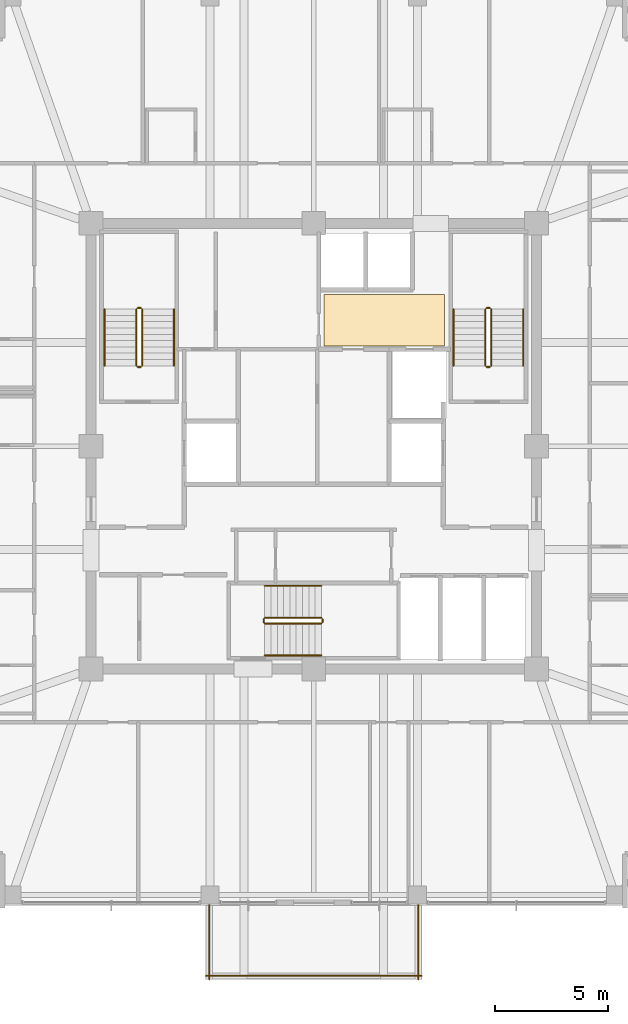
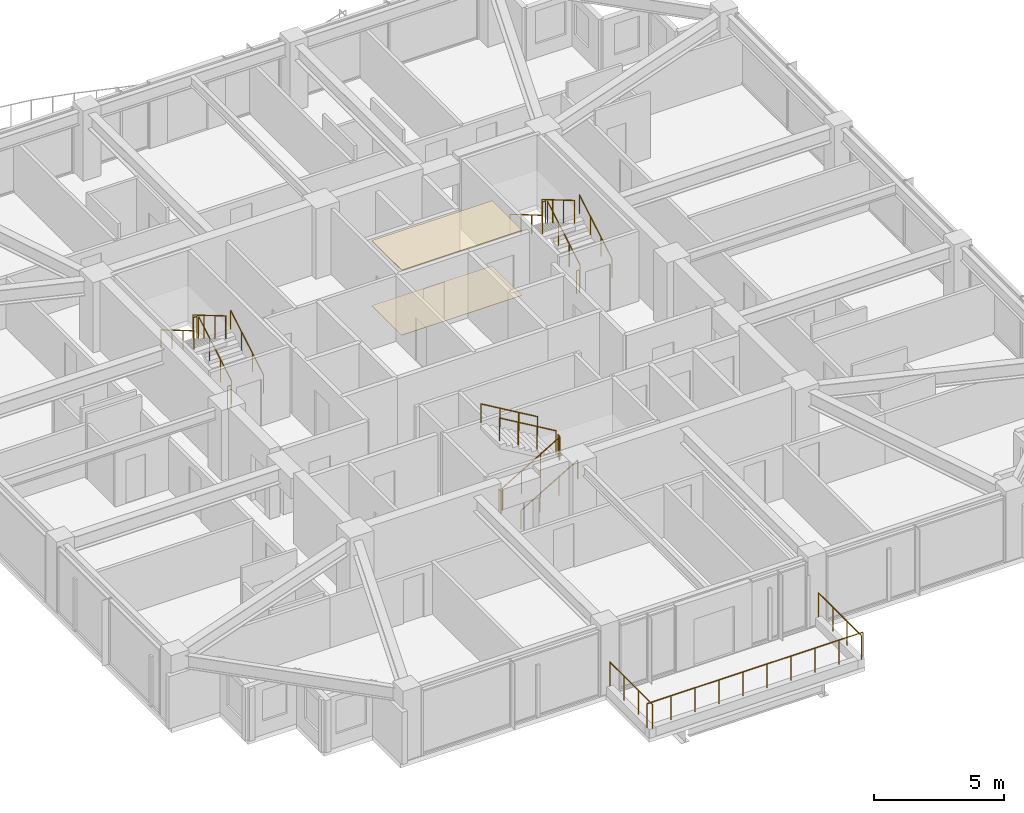
# One storey, part 35 of 36: 21 railings, 2 coverings.
"""IFC4 building model written with IfcOpenShell, lengths in metres."""

from ifc_helpers import new_model, si_unit, direction, frame, origin, origin_2d, place, context, subcontext, project, spatial, polyline, circle, outline, extrude, material, layer, layer_set, type_object, element, save


model = new_model("IFC4")

# Units and contexts
model_context = context("Model", 3, precision=1e-05, world=origin(), true_north=direction((0.0, 1.0)))
body_context = subcontext(model_context, "Body", "Model", "MODEL_VIEW")
ifc_project = project(units=[si_unit("LENGTHUNIT", "METRE"), si_unit("AREAUNIT", "SQUARE_METRE"), si_unit("VOLUMEUNIT", "CUBIC_METRE"), si_unit("PLANEANGLEUNIT", "RADIAN"), si_unit("MASSUNIT", "GRAM", prefix="KILO")], contexts=[model_context])

# Site, building, storey
site_placement = place(None, origin())
site = spatial("IfcSite", under=ifc_project, at=site_placement, CompositionType="ELEMENT")
building_placement = place(site_placement, origin())
building = spatial("IfcBuilding", under=site, at=building_placement, Name="Kolvaren Belvedere", CompositionType="ELEMENT")
storey_placement = place(building_placement, frame((0.0, 0.0, 226.199951171875)))
storey = spatial("IfcBuildingStorey", under=building, at=storey_placement, Name="L66", CompositionType="ELEMENT", Elevation=226.199951171875)

# Coverings
ifc_material_1 = material(Name="Acoustic perforated gypsum board", Category="gypsum")
ifc_layer_1 = layer(ifc_material_1, 0.02490234375)
ifc_layer_set_1 = layer_set([ifc_layer_1], Name="Acoustic perforated gypsum board")
covering_type_1 = type_object("IfcCoveringType", Name="COV-CEIL-GYP", PredefinedType="CEILING", material=ifc_layer_set_1)
covering_1_placement = place(storey_placement, frame((0.0, 0.0, 3.054931640625)))
element("IfcCovering", 1, at=covering_1_placement, inside=storey, type_object=covering_type_1, Name="L66 Lift Lobby Acoustic Baffle Ceiling", PredefinedType="CEILING", context=body_context, shape_type="SweptSolid", body=[
    extrude(outline(polyline([(0.449951171875, 4.449951171875), (5.800048828125, 4.449951171875), (5.800048828125, 6.75), (0.449951171875, 6.75), (0.449951171875, 4.449951171875)])), origin(), (0.0, 0.0, 1.0), 0.025146484375),
])
ifc_material_2 = material(Name="Engineered Pacific white oak", Category="timber")
ifc_layer_2 = layer(ifc_material_2, 0.02001953125)
ifc_layer_set_2 = layer_set([ifc_layer_2], Name="Engineered Pacific white oak")
covering_type_2 = type_object("IfcCoveringType", Name="COV-FLR-OAK", PredefinedType="FLOORING", material=ifc_layer_set_2)
covering_2_placement = place(storey_placement, origin())
element("IfcCovering", 2, at=covering_2_placement, inside=storey, type_object=covering_type_2, Name="L66 Lift Lobby Finish Flooring", PredefinedType="FLOORING", context=body_context, shape_type="SweptSolid", body=[
    extrude(outline(polyline([(0.449951171875, 4.449951171875), (5.800048828125, 4.449951171875), (5.800048828125, 6.75), (0.449951171875, 6.75), (0.449951171875, 4.449951171875)])), origin(), (0.0, 0.0, 1.0), 0.02001953125),
])

# Railings
ifc_material_3 = material(Name="Anodised pale-metal aluminium & laminated glass guard", Category="aluminium")
railing_type_1 = type_object("IfcRailingType", Name="RL-GUARD-1150", PredefinedType="GUARDRAIL", material=ifc_material_3)
railing_1_placement = place(storey_placement, frame((-4.800048828125, -23.5400390625, 0.380126953125)))
element("IfcRailing", 3, at=railing_1_placement, inside=storey, type_object=railing_type_1, Name="L66 Exterior Deck Safety Guard SPIRAL-10-S-1", PredefinedType="GUARDRAIL", context=body_context, shape_type="SweptSolid", body=[
    extrude(circle(Radius=0.02392578125, at=origin_2d()), frame((0.0, 0.0, 1.1259765625), z_axis=(1.0, 0.0, 0.0), x_axis=(0.0, 1.0, 0.0)), (0.0, 0.0, 1.0), 9.60009765625),
    extrude(circle(Radius=0.02099609375, at=origin_2d()), origin(), (0.0, 0.0, 1.0), 1.101806640625),
    extrude(circle(Radius=0.02099609375, at=origin_2d()), frame((1.066650390625, 0.0, 0.0)), (0.0, 0.0, 1.0), 1.101806640625),
    extrude(circle(Radius=0.02099609375, at=origin_2d()), frame((2.13330078125, 0.0, 0.0)), (0.0, 0.0, 1.0), 1.101806640625),
    extrude(circle(Radius=0.02099609375, at=origin_2d()), frame((3.199951171875, 0.0, 0.0)), (0.0, 0.0, 1.0), 1.101806640625),
    extrude(circle(Radius=0.02099609375, at=origin_2d()), frame((4.2666015625, 0.0, 0.0)), (0.0, 0.0, 1.0), 1.101806640625),
    extrude(circle(Radius=0.02099609375, at=origin_2d()), frame((5.33349609375, 0.0, 0.0)), (0.0, 0.0, 1.0), 1.101806640625),
    extrude(circle(Radius=0.02099609375, at=origin_2d()), frame((6.400146484375, 0.0, 0.0)), (0.0, 0.0, 1.0), 1.101806640625),
    extrude(circle(Radius=0.02099609375, at=origin_2d()), frame((7.466796875, 0.0, 0.0)), (0.0, 0.0, 1.0), 1.101806640625),
    extrude(circle(Radius=0.02099609375, at=origin_2d()), frame((8.533447265625, 0.0, 0.0)), (0.0, 0.0, 1.0), 1.101806640625),
    extrude(circle(Radius=0.02099609375, at=origin_2d()), frame((9.60009765625, 0.0, 0.0)), (0.0, 0.0, 1.0), 1.101806640625),
])
railing_2_placement = place(storey_placement, frame((4.639892578125, -23.699951171875, 0.380126953125)))
element("IfcRailing", 4, at=railing_2_placement, inside=storey, type_object=railing_type_1, Name="L66 Exterior Deck Safety Guard SPIRAL-10-S-2", PredefinedType="GUARDRAIL", context=body_context, shape_type="SweptSolid", body=[
    extrude(circle(Radius=0.02392578125, at=origin_2d()), frame((0.0, 0.0, 1.1259765625), z_axis=(0.0, 1.0, 0.0), x_axis=(-1.0, 0.0, 0.0)), (0.0, 0.0, 1.0), 3.300048828125),
    extrude(circle(Radius=0.02099609375, at=origin_2d()), origin(), (0.0, 0.0, 1.0), 1.101806640625),
    extrude(circle(Radius=0.02099609375, at=origin_2d()), frame((0.0, 1.10009765625, 0.0)), (0.0, 0.0, 1.0), 1.101806640625),
    extrude(circle(Radius=0.02099609375, at=origin_2d()), frame((0.0, 2.199951171875, 0.0)), (0.0, 0.0, 1.0), 1.101806640625),
    extrude(circle(Radius=0.02099609375, at=origin_2d()), frame((0.0, 3.300048828125, 0.0)), (0.0, 0.0, 1.0), 1.101806640625),
])
railing_3_placement = place(storey_placement, frame((-4.639892578125, -20.39990234375, 0.380126953125)))
element("IfcRailing", 5, at=railing_3_placement, inside=storey, type_object=railing_type_1, Name="L66 Exterior Deck Safety Guard SPIRAL-10-S-4", PredefinedType="GUARDRAIL", context=body_context, shape_type="SweptSolid", body=[
    extrude(circle(Radius=0.02392578125, at=origin_2d()), frame((0.0, 0.0, 1.1259765625), z_axis=(0.0, -1.0, 0.0), x_axis=(1.0, 0.0, 0.0)), (0.0, 0.0, 1.0), 3.300048828125),
    extrude(circle(Radius=0.02099609375, at=origin_2d()), origin(), (0.0, 0.0, 1.0), 1.101806640625),
    extrude(circle(Radius=0.02099609375, at=origin_2d()), frame((0.0, -1.10009765625, 0.0)), (0.0, 0.0, 1.0), 1.101806640625),
    extrude(circle(Radius=0.02099609375, at=origin_2d()), frame((0.0, -2.199951171875, 0.0)), (0.0, 0.0, 1.0), 1.101806640625),
    extrude(circle(Radius=0.02099609375, at=origin_2d()), frame((0.0, -3.300048828125, 0.0)), (0.0, 0.0, 1.0), 1.101806640625),
])
ifc_material_4 = material(Name="Brushed stainless-steel handrail", Category="steel")
railing_type_2 = type_object("IfcRailingType", Name="RL-HANDRAIL-920", PredefinedType="HANDRAIL", material=ifc_material_4)
railing_4_placement = place(storey_placement, frame((-6.2099609375, 3.570068359375, 0.1650390625)))
element("IfcRailing", 6, at=railing_4_placement, inside=storey, type_object=railing_type_2, Name="L66 ST-1 stair handrail 1", PredefinedType="HANDRAIL", context=body_context, shape_type="SweptSolid", body=[
    extrude(circle(Radius=0.02392578125, at=origin_2d()), frame((0.0, 0.0, 0.8759765625), z_axis=(0.0, 0.86152411907, 0.507716645641), x_axis=(-1.0, 0.0, 0.0)), (0.0, 0.0, 1.0), 2.925048828125),
    extrude(circle(Radius=0.02099609375, at=origin_2d()), origin(), (0.0, 0.0, 1.0), 0.851806640625),
    extrude(circle(Radius=0.02099609375, at=origin_2d()), frame((0.0, 0.840087890625, 0.4951171875)), (0.0, 0.0, 1.0), 0.851806640625),
    extrude(circle(Radius=0.02099609375, at=origin_2d()), frame((0.0, 1.679931640625, 0.989990234375)), (0.0, 0.0, 1.0), 0.851806640625),
    extrude(circle(Radius=0.02099609375, at=origin_2d()), frame((0.0, 2.52001953125, 1.485107421875)), (0.0, 0.0, 1.0), 0.851806640625),
])
railing_5_placement = place(storey_placement, frame((-9.300048828125, 6.090087890625, 1.81494140625)))
element("IfcRailing", 7, at=railing_5_placement, inside=storey, type_object=railing_type_2, Name="L66 ST-1 stair handrail 2", PredefinedType="HANDRAIL", context=body_context, shape_type="SweptSolid", body=[
    extrude(circle(Radius=0.02392578125, at=origin_2d()), frame((0.0, 0.0, 0.8759765625), z_axis=(0.0, -0.86152411907, 0.507716645641), x_axis=(1.0, 0.0, 0.0)), (0.0, 0.0, 1.0), 2.925048828125),
    extrude(circle(Radius=0.02099609375, at=origin_2d()), origin(), (0.0, 0.0, 1.0), 0.851806640625),
    extrude(circle(Radius=0.02099609375, at=origin_2d()), frame((0.0, -0.840087890625, 0.4951171875)), (0.0, 0.0, 1.0), 0.851806640625),
    extrude(circle(Radius=0.02099609375, at=origin_2d()), frame((0.0, -1.679931640625, 0.989990234375)), (0.0, 0.0, 1.0), 0.851806640625),
    extrude(circle(Radius=0.02099609375, at=origin_2d()), frame((0.0, -2.52001953125, 1.485107421875)), (0.0, 0.0, 1.0), 0.851806640625),
])
railing_6_placement = place(storey_placement, frame((9.300048828125, 3.570068359375, 0.1650390625)))
element("IfcRailing", 8, at=railing_6_placement, inside=storey, type_object=railing_type_2, Name="L66 ST-2 stair handrail 1", PredefinedType="HANDRAIL", context=body_context, shape_type="SweptSolid", body=[
    extrude(circle(Radius=0.02392578125, at=origin_2d()), frame((0.0, 0.0, 0.8759765625), z_axis=(0.0, 0.86152411907, 0.507716645641), x_axis=(-1.0, 0.0, 0.0)), (0.0, 0.0, 1.0), 2.925048828125),
    extrude(circle(Radius=0.02099609375, at=origin_2d()), origin(), (0.0, 0.0, 1.0), 0.851806640625),
    extrude(circle(Radius=0.02099609375, at=origin_2d()), frame((0.0, 0.840087890625, 0.4951171875)), (0.0, 0.0, 1.0), 0.851806640625),
    extrude(circle(Radius=0.02099609375, at=origin_2d()), frame((0.0, 1.679931640625, 0.989990234375)), (0.0, 0.0, 1.0), 0.851806640625),
    extrude(circle(Radius=0.02099609375, at=origin_2d()), frame((0.0, 2.52001953125, 1.485107421875)), (0.0, 0.0, 1.0), 0.851806640625),
])
railing_7_placement = place(storey_placement, frame((6.2099609375, 6.090087890625, 1.81494140625)))
element("IfcRailing", 9, at=railing_7_placement, inside=storey, type_object=railing_type_2, Name="L66 ST-2 stair handrail 2", PredefinedType="HANDRAIL", context=body_context, shape_type="SweptSolid", body=[
    extrude(circle(Radius=0.02392578125, at=origin_2d()), frame((0.0, 0.0, 0.8759765625), z_axis=(0.0, -0.86152411907, 0.507716645641), x_axis=(1.0, 0.0, 0.0)), (0.0, 0.0, 1.0), 2.925048828125),
    extrude(circle(Radius=0.02099609375, at=origin_2d()), origin(), (0.0, 0.0, 1.0), 0.851806640625),
    extrude(circle(Radius=0.02099609375, at=origin_2d()), frame((0.0, -0.840087890625, 0.4951171875)), (0.0, 0.0, 1.0), 0.851806640625),
    extrude(circle(Radius=0.02099609375, at=origin_2d()), frame((0.0, -1.679931640625, 0.989990234375)), (0.0, 0.0, 1.0), 0.851806640625),
    extrude(circle(Radius=0.02099609375, at=origin_2d()), frame((0.0, -2.52001953125, 1.485107421875)), (0.0, 0.0, 1.0), 0.851806640625),
])
railing_8_placement = place(storey_placement, frame((-2.179931640625, -9.300048828125, 0.1650390625)))
element("IfcRailing", 10, at=railing_8_placement, inside=storey, type_object=railing_type_2, Name="L66 ST-3 stair handrail 1", PredefinedType="HANDRAIL", context=body_context, shape_type="SweptSolid", body=[
    extrude(circle(Radius=0.02392578125, at=origin_2d()), frame((0.0, 0.0, 0.8759765625), z_axis=(0.86152411907, 0.0, 0.507716645641), x_axis=(0.0, 1.0, 0.0)), (0.0, 0.0, 1.0), 2.925048828125),
    extrude(circle(Radius=0.02099609375, at=origin_2d()), origin(), (0.0, 0.0, 1.0), 0.851806640625),
    extrude(circle(Radius=0.02099609375, at=origin_2d()), frame((0.840087890625, 0.0, 0.4951171875)), (0.0, 0.0, 1.0), 0.851806640625),
    extrude(circle(Radius=0.02099609375, at=origin_2d()), frame((1.679931640625, 0.0, 0.989990234375)), (0.0, 0.0, 1.0), 0.851806640625),
    extrude(circle(Radius=0.02099609375, at=origin_2d()), frame((2.52001953125, 0.0, 1.485107421875)), (0.0, 0.0, 1.0), 0.851806640625),
])
railing_9_placement = place(storey_placement, frame((0.340087890625, -6.2099609375, 1.81494140625)))
element("IfcRailing", 11, at=railing_9_placement, inside=storey, type_object=railing_type_2, Name="L66 ST-3 stair handrail 2", PredefinedType="HANDRAIL", context=body_context, shape_type="SweptSolid", body=[
    extrude(circle(Radius=0.02392578125, at=origin_2d()), frame((0.0, 0.0, 0.8759765625), z_axis=(-0.86152411907, 0.0, 0.507716645641), x_axis=(0.0, -1.0, 0.0)), (0.0, 0.0, 1.0), 2.925048828125),
    extrude(circle(Radius=0.02099609375, at=origin_2d()), origin(), (0.0, 0.0, 1.0), 0.851806640625),
    extrude(circle(Radius=0.02099609375, at=origin_2d()), frame((-0.840087890625, 0.0, 0.4951171875)), (0.0, 0.0, 1.0), 0.851806640625),
    extrude(circle(Radius=0.02099609375, at=origin_2d()), frame((-1.679931640625, 0.0, 0.989990234375)), (0.0, 0.0, 1.0), 0.851806640625),
    extrude(circle(Radius=0.02099609375, at=origin_2d()), frame((-2.52001953125, 0.0, 1.485107421875)), (0.0, 0.0, 1.0), 0.851806640625),
])
ifc_material_5 = material(Name="Painted tubular steel stair guard", Category="steel")
railing_type_3 = type_object("IfcRailingType", Name="RL-STGUARD-1100", PredefinedType="GUARDRAIL", material=ifc_material_5)
railing_10_placement = place(storey_placement, frame((-7.6298828125, 3.570068359375, 0.1650390625)))
element("IfcRailing", 12, at=railing_10_placement, inside=storey, type_object=railing_type_3, Name="L66 ST-1 stair guard 1", PredefinedType="GUARDRAIL", context=body_context, shape_type="SweptSolid", body=[
    extrude(circle(Radius=0.02392578125, at=origin_2d()), frame((0.0, 0.0, 1.076171875), z_axis=(0.0, 0.86152411907, 0.507716645641), x_axis=(-1.0, 0.0, 0.0)), (0.0, 0.0, 1.0), 2.925048828125),
    extrude(circle(Radius=0.02099609375, at=origin_2d()), origin(), (0.0, 0.0, 1.0), 1.052001953125),
    extrude(circle(Radius=0.02099609375, at=origin_2d()), frame((0.0, 0.840087890625, 0.4951171875)), (0.0, 0.0, 1.0), 1.052001953125),
    extrude(circle(Radius=0.02099609375, at=origin_2d()), frame((0.0, 1.679931640625, 0.989990234375)), (0.0, 0.0, 1.0), 1.052001953125),
    extrude(circle(Radius=0.02099609375, at=origin_2d()), frame((0.0, 2.52001953125, 1.485107421875)), (0.0, 0.0, 1.0), 1.052001953125),
])
railing_11_placement = place(storey_placement, frame((-7.679931640625, 6.139892578125, 1.650146484375)))
element("IfcRailing", 13, at=railing_11_placement, inside=storey, type_object=railing_type_3, Name="L66 ST-1 stair guard 2", PredefinedType="GUARDRAIL", context=body_context, shape_type="SweptSolid", body=[
    extrude(circle(Radius=0.02392578125, at=origin_2d()), frame((0.0, 0.0, 1.076171875), z_axis=(-1.0, 0.0, 0.0), x_axis=(0.0, -1.0, 0.0)), (0.0, 0.0, 1.0), 0.150146484375),
    extrude(circle(Radius=0.02099609375, at=origin_2d()), origin(), (0.0, 0.0, 1.0), 1.052001953125),
    extrude(circle(Radius=0.02099609375, at=origin_2d()), frame((-0.150146484375, 0.0, 0.0)), (0.0, 0.0, 1.0), 1.052001953125),
])
railing_12_placement = place(storey_placement, frame((-7.8798828125, 6.090087890625, 1.81494140625)))
element("IfcRailing", 14, at=railing_12_placement, inside=storey, type_object=railing_type_3, Name="L66 ST-1 stair guard 3", PredefinedType="GUARDRAIL", context=body_context, shape_type="SweptSolid", body=[
    extrude(circle(Radius=0.02392578125, at=origin_2d()), frame((0.0, 0.0, 1.076171875), z_axis=(0.0, -0.86152411907, 0.507716645641), x_axis=(1.0, 0.0, 0.0)), (0.0, 0.0, 1.0), 2.925048828125),
    extrude(circle(Radius=0.02099609375, at=origin_2d()), origin(), (0.0, 0.0, 1.0), 1.052001953125),
    extrude(circle(Radius=0.02099609375, at=origin_2d()), frame((0.0, -0.840087890625, 0.4951171875)), (0.0, 0.0, 1.0), 1.052001953125),
    extrude(circle(Radius=0.02099609375, at=origin_2d()), frame((0.0, -1.679931640625, 0.989990234375)), (0.0, 0.0, 1.0), 1.052001953125),
    extrude(circle(Radius=0.02099609375, at=origin_2d()), frame((0.0, -2.52001953125, 1.485107421875)), (0.0, 0.0, 1.0), 1.052001953125),
])
railing_13_placement = place(storey_placement, frame((-7.679931640625, 3.52001953125, 0.0)))
element("IfcRailing", 15, at=railing_13_placement, inside=storey, type_object=railing_type_3, Name="L66 ST-1 stair guard 4", PredefinedType="GUARDRAIL", context=body_context, shape_type="SweptSolid", body=[
    extrude(circle(Radius=0.02392578125, at=origin_2d()), frame((0.0, 0.0, 1.076171875), z_axis=(-1.0, 0.0, 0.0), x_axis=(0.0, -1.0, 0.0)), (0.0, 0.0, 1.0), 0.150146484375),
    extrude(circle(Radius=0.02099609375, at=origin_2d()), origin(), (0.0, 0.0, 1.0), 1.052001953125),
    extrude(circle(Radius=0.02099609375, at=origin_2d()), frame((-0.150146484375, 0.0, 0.0)), (0.0, 0.0, 1.0), 1.052001953125),
])
railing_14_placement = place(storey_placement, frame((7.8798828125, 3.570068359375, 0.1650390625)))
element("IfcRailing", 16, at=railing_14_placement, inside=storey, type_object=railing_type_3, Name="L66 ST-2 stair guard 1", PredefinedType="GUARDRAIL", context=body_context, shape_type="SweptSolid", body=[
    extrude(circle(Radius=0.02392578125, at=origin_2d()), frame((0.0, 0.0, 1.076171875), z_axis=(0.0, 0.86152411907, 0.507716645641), x_axis=(-1.0, 0.0, 0.0)), (0.0, 0.0, 1.0), 2.925048828125),
    extrude(circle(Radius=0.02099609375, at=origin_2d()), origin(), (0.0, 0.0, 1.0), 1.052001953125),
    extrude(circle(Radius=0.02099609375, at=origin_2d()), frame((0.0, 0.840087890625, 0.4951171875)), (0.0, 0.0, 1.0), 1.052001953125),
    extrude(circle(Radius=0.02099609375, at=origin_2d()), frame((0.0, 1.679931640625, 0.989990234375)), (0.0, 0.0, 1.0), 1.052001953125),
    extrude(circle(Radius=0.02099609375, at=origin_2d()), frame((0.0, 2.52001953125, 1.485107421875)), (0.0, 0.0, 1.0), 1.052001953125),
])
railing_15_placement = place(storey_placement, frame((7.830078125, 6.139892578125, 1.650146484375)))
element("IfcRailing", 17, at=railing_15_placement, inside=storey, type_object=railing_type_3, Name="L66 ST-2 stair guard 2", PredefinedType="GUARDRAIL", context=body_context, shape_type="SweptSolid", body=[
    extrude(circle(Radius=0.02392578125, at=origin_2d()), frame((0.0, 0.0, 1.076171875), z_axis=(-1.0, 0.0, 0.0), x_axis=(0.0, -1.0, 0.0)), (0.0, 0.0, 1.0), 0.150146484375),
    extrude(circle(Radius=0.02099609375, at=origin_2d()), origin(), (0.0, 0.0, 1.0), 1.052001953125),
    extrude(circle(Radius=0.02099609375, at=origin_2d()), frame((-0.150146484375, 0.0, 0.0)), (0.0, 0.0, 1.0), 1.052001953125),
])
railing_16_placement = place(storey_placement, frame((7.6298828125, 6.090087890625, 1.81494140625)))
element("IfcRailing", 18, at=railing_16_placement, inside=storey, type_object=railing_type_3, Name="L66 ST-2 stair guard 3", PredefinedType="GUARDRAIL", context=body_context, shape_type="SweptSolid", body=[
    extrude(circle(Radius=0.02392578125, at=origin_2d()), frame((0.0, 0.0, 1.076171875), z_axis=(0.0, -0.86152411907, 0.507716645641), x_axis=(1.0, 0.0, 0.0)), (0.0, 0.0, 1.0), 2.925048828125),
    extrude(circle(Radius=0.02099609375, at=origin_2d()), origin(), (0.0, 0.0, 1.0), 1.052001953125),
    extrude(circle(Radius=0.02099609375, at=origin_2d()), frame((0.0, -0.840087890625, 0.4951171875)), (0.0, 0.0, 1.0), 1.052001953125),
    extrude(circle(Radius=0.02099609375, at=origin_2d()), frame((0.0, -1.679931640625, 0.989990234375)), (0.0, 0.0, 1.0), 1.052001953125),
    extrude(circle(Radius=0.02099609375, at=origin_2d()), frame((0.0, -2.52001953125, 1.485107421875)), (0.0, 0.0, 1.0), 1.052001953125),
])
railing_17_placement = place(storey_placement, frame((7.830078125, 3.52001953125, 0.0)))
element("IfcRailing", 19, at=railing_17_placement, inside=storey, type_object=railing_type_3, Name="L66 ST-2 stair guard 4", PredefinedType="GUARDRAIL", context=body_context, shape_type="SweptSolid", body=[
    extrude(circle(Radius=0.02392578125, at=origin_2d()), frame((0.0, 0.0, 1.076171875), z_axis=(-1.0, 0.0, 0.0), x_axis=(0.0, -1.0, 0.0)), (0.0, 0.0, 1.0), 0.150146484375),
    extrude(circle(Radius=0.02099609375, at=origin_2d()), origin(), (0.0, 0.0, 1.0), 1.052001953125),
    extrude(circle(Radius=0.02099609375, at=origin_2d()), frame((-0.150146484375, 0.0, 0.0)), (0.0, 0.0, 1.0), 1.052001953125),
])
railing_18_placement = place(storey_placement, frame((-2.179931640625, -7.8798828125, 0.1650390625)))
element("IfcRailing", 20, at=railing_18_placement, inside=storey, type_object=railing_type_3, Name="L66 ST-3 stair guard 1", PredefinedType="GUARDRAIL", context=body_context, shape_type="SweptSolid", body=[
    extrude(circle(Radius=0.02392578125, at=origin_2d()), frame((0.0, 0.0, 1.076171875), z_axis=(0.86152411907, 0.0, 0.507716645641), x_axis=(0.0, 1.0, 0.0)), (0.0, 0.0, 1.0), 2.925048828125),
    extrude(circle(Radius=0.02099609375, at=origin_2d()), origin(), (0.0, 0.0, 1.0), 1.052001953125),
    extrude(circle(Radius=0.02099609375, at=origin_2d()), frame((0.840087890625, 0.0, 0.4951171875)), (0.0, 0.0, 1.0), 1.052001953125),
    extrude(circle(Radius=0.02099609375, at=origin_2d()), frame((1.679931640625, 0.0, 0.989990234375)), (0.0, 0.0, 1.0), 1.052001953125),
    extrude(circle(Radius=0.02099609375, at=origin_2d()), frame((2.52001953125, 0.0, 1.485107421875)), (0.0, 0.0, 1.0), 1.052001953125),
])
railing_19_placement = place(storey_placement, frame((0.389892578125, -7.830078125, 1.650146484375)))
element("IfcRailing", 21, at=railing_19_placement, inside=storey, type_object=railing_type_3, Name="L66 ST-3 stair guard 2", PredefinedType="GUARDRAIL", context=body_context, shape_type="SweptSolid", body=[
    extrude(circle(Radius=0.02392578125, at=origin_2d()), frame((0.0, 0.0, 1.076171875), z_axis=(0.0, 1.0, 0.0), x_axis=(-1.0, 0.0, 0.0)), (0.0, 0.0, 1.0), 0.150146484375),
    extrude(circle(Radius=0.02099609375, at=origin_2d()), origin(), (0.0, 0.0, 1.0), 1.052001953125),
    extrude(circle(Radius=0.02099609375, at=origin_2d()), frame((0.0, 0.150146484375, 0.0)), (0.0, 0.0, 1.0), 1.052001953125),
])
railing_20_placement = place(storey_placement, frame((0.340087890625, -7.6298828125, 1.81494140625)))
element("IfcRailing", 22, at=railing_20_placement, inside=storey, type_object=railing_type_3, Name="L66 ST-3 stair guard 3", PredefinedType="GUARDRAIL", context=body_context, shape_type="SweptSolid", body=[
    extrude(circle(Radius=0.02392578125, at=origin_2d()), frame((0.0, 0.0, 1.076171875), z_axis=(-0.86152411907, 0.0, 0.507716645641), x_axis=(0.0, -1.0, 0.0)), (0.0, 0.0, 1.0), 2.925048828125),
    extrude(circle(Radius=0.02099609375, at=origin_2d()), origin(), (0.0, 0.0, 1.0), 1.052001953125),
    extrude(circle(Radius=0.02099609375, at=origin_2d()), frame((-0.840087890625, 0.0, 0.4951171875)), (0.0, 0.0, 1.0), 1.052001953125),
    extrude(circle(Radius=0.02099609375, at=origin_2d()), frame((-1.679931640625, 0.0, 0.989990234375)), (0.0, 0.0, 1.0), 1.052001953125),
    extrude(circle(Radius=0.02099609375, at=origin_2d()), frame((-2.52001953125, 0.0, 1.485107421875)), (0.0, 0.0, 1.0), 1.052001953125),
])
railing_21_placement = place(storey_placement, frame((-2.22998046875, -7.830078125, 0.0)))
element("IfcRailing", 23, at=railing_21_placement, inside=storey, type_object=railing_type_3, Name="L66 ST-3 stair guard 4", PredefinedType="GUARDRAIL", context=body_context, shape_type="SweptSolid", body=[
    extrude(circle(Radius=0.02392578125, at=origin_2d()), frame((0.0, 0.0, 1.076171875), z_axis=(0.0, 1.0, 0.0), x_axis=(-1.0, 0.0, 0.0)), (0.0, 0.0, 1.0), 0.150146484375),
    extrude(circle(Radius=0.02099609375, at=origin_2d()), origin(), (0.0, 0.0, 1.0), 1.052001953125),
    extrude(circle(Radius=0.02099609375, at=origin_2d()), frame((0.0, 0.150146484375, 0.0)), (0.0, 0.0, 1.0), 1.052001953125),
])

save(model, "model.ifc")
